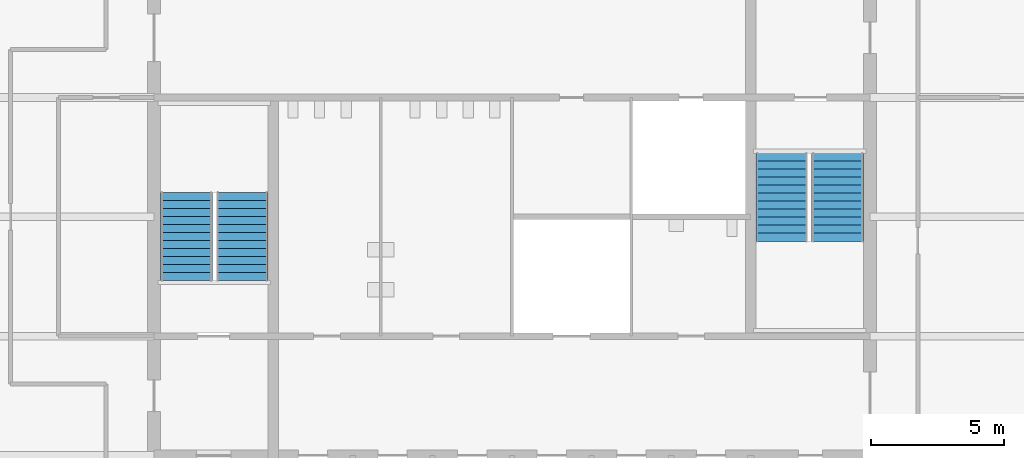
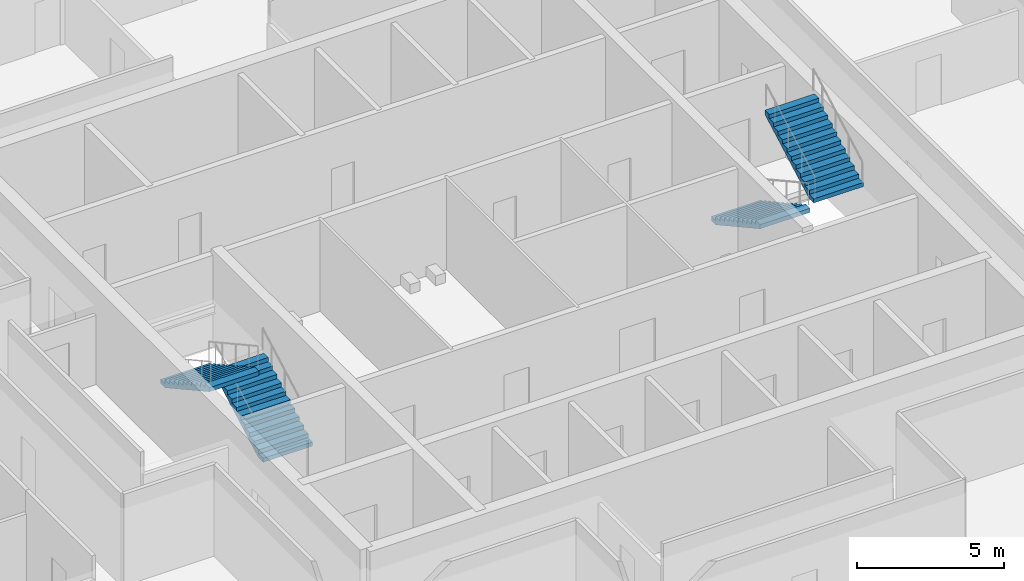
# One storey, part 11 of 13: 4 stair flights, 2 elements without a shape of their own.
"""IFC4 building model written with IfcOpenShell, lengths in metres."""

from ifc_helpers import new_model, si_unit, direction, frame, origin, place, context, subcontext, project, spatial, polyline, outline, extrude, material, type_object, element, aggregate, save


model = new_model("IFC4")

# Units and contexts
model_context = context("Model", 3, precision=1e-05, world=origin(), true_north=direction((0.0, 1.0)))
body_context = subcontext(model_context, "Body", "Model", "MODEL_VIEW")
ifc_project = project(units=[si_unit("LENGTHUNIT", "METRE"), si_unit("AREAUNIT", "SQUARE_METRE"), si_unit("VOLUMEUNIT", "CUBIC_METRE"), si_unit("PLANEANGLEUNIT", "RADIAN"), si_unit("MASSUNIT", "GRAM", prefix="KILO")], contexts=[model_context])

# Site, building, storey
site_placement = place(None, origin())
site = spatial("IfcSite", under=ifc_project, at=site_placement, CompositionType="ELEMENT")
building_placement = place(site_placement, origin())
building = spatial("IfcBuilding", under=site, at=building_placement, Name="Corais Broadcast Tower", CompositionType="ELEMENT")
storey_placement = place(building_placement, frame((0.0, 0.0, 195.60009765625)))
storey = spatial("IfcBuildingStorey", under=building, at=storey_placement, Name="L45", CompositionType="ELEMENT", Elevation=195.60009765625)

# Stair, stair flights
ifc_material_1 = material(Name="Concrete C30/37", Category="concrete")
stair_type = type_object("IfcStairType", Name="Half-turn stair 4000", PredefinedType="HALF_TURN_STAIR", material=ifc_material_1)
stair_1_placement = place(storey_placement, origin())
stair_1 = element("IfcStair", 1, at=stair_1_placement, inside=storey, type_object=stair_type, Name="Stair A L45", PredefinedType="HALF_TURN_STAIR")
ifc_material_2 = material(Name="Concrete C30/37", Category="concrete")
stair_flight_type = type_object("IfcStairFlightType", Name="Stair flight 4000", PredefinedType="STRAIGHT", material=ifc_material_2)
stair_flight_1_placement = place(storey_placement, frame((16.824951171875, 24.60009765625, 0.0), z_axis=(0.0, 0.0, 1.0), x_axis=(0.0, 1.0, 0.0)))
stair_flight_1 = element("IfcStairFlight", 2, at=stair_flight_1_placement, type_object=stair_flight_type, Name="STA flight 1", NumberOfRisers=12, NumberOfTreads=11, PredefinedType="STRAIGHT", RiserHeight=0.166666667, TreadLength=0.302, context=body_context, shape_type="SweptSolid", body=[
    extrude(outline(polyline([(0.0, 0.0), (0.0, 0.166748046875), (0.302001953125, 0.166748046875), (0.302001953125, 0.333251953125), (0.60400390625, 0.333251953125), (0.60400390625, 0.5), (0.906005859375, 0.5), (0.906005859375, 0.666748046875), (1.2080078125, 0.666748046875), (1.2080078125, 0.833251953125), (1.510009765625, 0.833251953125), (1.510009765625, 1.0), (1.81201171875, 1.0), (1.81201171875, 1.166748046875), (2.114013671875, 1.166748046875), (2.114013671875, 1.333251953125), (2.416015625, 1.333251953125), (2.416015625, 1.5), (2.718017578125, 1.5), (2.718017578125, 1.666748046875), (3.02001953125, 1.666748046875), (3.02001953125, 1.833251953125), (3.322021484375, 1.833251953125), (3.322021484375, 2.0), (3.322021484375, 1.662109375), (0.310302734375, 0.0), (0.0, 0.0)])), frame((0.0, 0.97509765625, 0.0), z_axis=(0.0, -1.0, 0.0), x_axis=(1.0, 0.0, 0.0)), (0.0, 0.0, 1.0), 1.949951171875),
])
stair_flight_2_placement = place(storey_placement, frame((14.72509765625, 27.922119140625, 2.0), z_axis=(0.0, 0.0, 1.0), x_axis=(0.0, -1.0, 0.0)))
stair_flight_2 = element("IfcStairFlight", 3, at=stair_flight_2_placement, type_object=stair_flight_type, Name="STA flight 2", NumberOfRisers=12, NumberOfTreads=11, PredefinedType="STRAIGHT", RiserHeight=0.166666667, TreadLength=0.302, context=body_context, shape_type="SweptSolid", body=[
    extrude(outline(polyline([(0.0, 0.0), (0.0, 0.166748046875), (0.302001953125, 0.166748046875), (0.302001953125, 0.333251953125), (0.60400390625, 0.333251953125), (0.60400390625, 0.5), (0.906005859375, 0.5), (0.906005859375, 0.666748046875), (1.2080078125, 0.666748046875), (1.2080078125, 0.833251953125), (1.510009765625, 0.833251953125), (1.510009765625, 1.0), (1.81201171875, 1.0), (1.81201171875, 1.166748046875), (2.114013671875, 1.166748046875), (2.114013671875, 1.333251953125), (2.416015625, 1.333251953125), (2.416015625, 1.5), (2.718017578125, 1.5), (2.718017578125, 1.666748046875), (3.02001953125, 1.666748046875), (3.02001953125, 1.833251953125), (3.322021484375, 1.833251953125), (3.322021484375, 2.0), (3.322021484375, 1.662109375), (0.310302734375, 0.0), (0.0, 0.0)])), frame((0.0, 0.97509765625, 0.0), z_axis=(0.0, -1.0, 0.0), x_axis=(1.0, 0.0, 0.0)), (0.0, 0.0, 1.0), 1.949951171875),
])
aggregate(stair_1, [stair_flight_1, stair_flight_2])

stair_2_placement = place(storey_placement, origin())
stair_2 = element("IfcStair", 4, at=stair_2_placement, inside=storey, type_object=stair_type, Name="Stair B L45", PredefinedType="HALF_TURN_STAIR")
stair_flight_3_placement = place(storey_placement, frame((37.175048828125, 29.39990234375, 0.0), z_axis=(0.0, 0.0, 1.0), x_axis=(0.0, -1.0, 0.0)))
stair_flight_3 = element("IfcStairFlight", 5, at=stair_flight_3_placement, type_object=stair_flight_type, Name="STB flight 1", NumberOfRisers=12, NumberOfTreads=11, PredefinedType="STRAIGHT", RiserHeight=0.166666667, TreadLength=0.302, context=body_context, shape_type="SweptSolid", body=[
    extrude(outline(polyline([(0.0, 0.0), (0.0, 0.166748046875), (0.302001953125, 0.166748046875), (0.302001953125, 0.333251953125), (0.60400390625, 0.333251953125), (0.60400390625, 0.5), (0.906005859375, 0.5), (0.906005859375, 0.666748046875), (1.2080078125, 0.666748046875), (1.2080078125, 0.833251953125), (1.510009765625, 0.833251953125), (1.510009765625, 1.0), (1.81201171875, 1.0), (1.81201171875, 1.166748046875), (2.114013671875, 1.166748046875), (2.114013671875, 1.333251953125), (2.416015625, 1.333251953125), (2.416015625, 1.5), (2.718017578125, 1.5), (2.718017578125, 1.666748046875), (3.02001953125, 1.666748046875), (3.02001953125, 1.833251953125), (3.322021484375, 1.833251953125), (3.322021484375, 2.0), (3.322021484375, 1.662109375), (0.310302734375, 0.0), (0.0, 0.0)])), frame((0.0, 0.97509765625, 0.0), z_axis=(0.0, -1.0, 0.0), x_axis=(1.0, 0.0, 0.0)), (0.0, 0.0, 1.0), 1.949951171875),
])
stair_flight_4_placement = place(storey_placement, frame((39.27490234375, 26.077880859375, 2.0), z_axis=(0.0, 0.0, 1.0), x_axis=(0.0, 1.0, 0.0)))
stair_flight_4 = element("IfcStairFlight", 6, at=stair_flight_4_placement, type_object=stair_flight_type, Name="STB flight 2", NumberOfRisers=12, NumberOfTreads=11, PredefinedType="STRAIGHT", RiserHeight=0.166666667, TreadLength=0.302, context=body_context, shape_type="SweptSolid", body=[
    extrude(outline(polyline([(0.0, 0.0), (0.0, 0.166748046875), (0.302001953125, 0.166748046875), (0.302001953125, 0.333251953125), (0.60400390625, 0.333251953125), (0.60400390625, 0.5), (0.906005859375, 0.5), (0.906005859375, 0.666748046875), (1.2080078125, 0.666748046875), (1.2080078125, 0.833251953125), (1.510009765625, 0.833251953125), (1.510009765625, 1.0), (1.81201171875, 1.0), (1.81201171875, 1.166748046875), (2.114013671875, 1.166748046875), (2.114013671875, 1.333251953125), (2.416015625, 1.333251953125), (2.416015625, 1.5), (2.718017578125, 1.5), (2.718017578125, 1.666748046875), (3.02001953125, 1.666748046875), (3.02001953125, 1.833251953125), (3.322021484375, 1.833251953125), (3.322021484375, 2.0), (3.322021484375, 1.662109375), (0.310302734375, 0.0), (0.0, 0.0)])), frame((0.0, 0.97509765625, 0.0), z_axis=(0.0, -1.0, 0.0), x_axis=(1.0, 0.0, 0.0)), (0.0, 0.0, 1.0), 1.949951171875),
])
aggregate(stair_2, [stair_flight_3, stair_flight_4])

save(model, "model.ifc")
